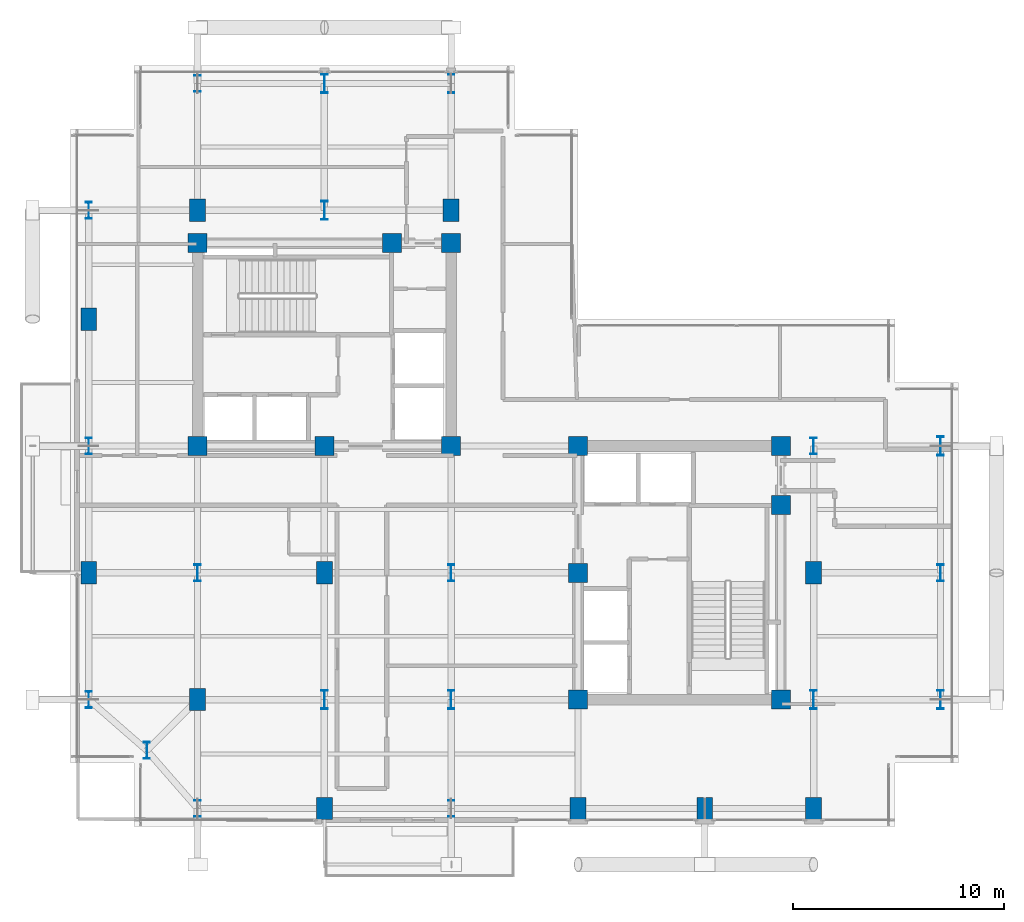
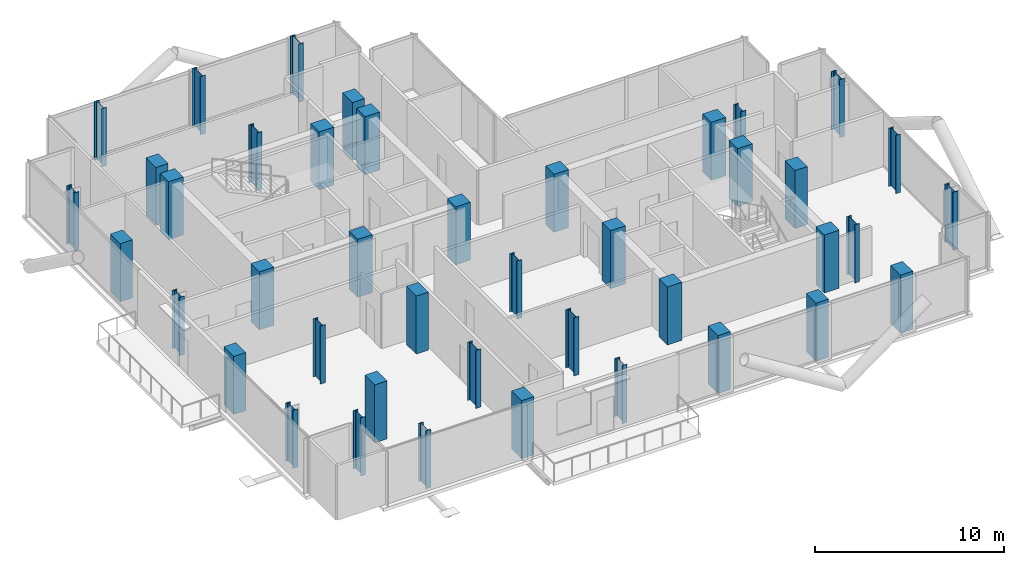
# One storey, part 1 of 21: 42 columns.
"""IFC4 building model written with IfcOpenShell, lengths in metres."""

from ifc_helpers import new_model, si_unit, direction, frame, origin, origin_2d, place, context, subcontext, project, spatial, rectangle, i_section, extrude, material, material_profile, profile_set, type_object, element, save


model = new_model("IFC4")

# Units and contexts
model_context = context("Model", 3, precision=1e-05, world=origin(), true_north=direction((0.0, 1.0)))
body_context = subcontext(model_context, "Body", "Model", "MODEL_VIEW")
ifc_project = project(units=[si_unit("LENGTHUNIT", "METRE"), si_unit("AREAUNIT", "SQUARE_METRE"), si_unit("VOLUMEUNIT", "CUBIC_METRE"), si_unit("PLANEANGLEUNIT", "RADIAN"), si_unit("MASSUNIT", "GRAM", prefix="KILO"), si_unit("THERMODYNAMICTEMPERATUREUNIT", "KELVIN"), si_unit("POWERUNIT", "WATT")], contexts=[model_context])

# Site, building, storey
site_placement = place(None, origin())
site = spatial("IfcSite", under=ifc_project, at=site_placement, CompositionType="ELEMENT")
building_placement = place(site_placement, origin())
building = spatial("IfcBuilding", under=site, at=building_placement, Name="Svarakhadi Broadcast Tower", CompositionType="ELEMENT")
storey_placement = place(building_placement, frame((0.0, 0.0, 219.89990234375)))
storey = spatial("IfcBuildingStorey", under=building, at=storey_placement, Name="L54", CompositionType="ELEMENT", Elevation=219.89990234375)

# Columns
ifc_material_1 = material(Name="Concrete C50/60 (IS 456 M60)", Category="concrete")
ifc_material_profile_1 = material_profile(ifc_material_1, rectangle(XDim=0.75, YDim=1.050048828125, at=origin_2d()), Name="RC 750x1050")
ifc_profile_set_1 = profile_set([ifc_material_profile_1], Name="Concrete C50/60 (IS 456 M60)")
column_type_1 = type_object("IfcColumnType", Name="Col_RC750", PredefinedType="COLUMN", material=ifc_profile_set_1)
for number, where, z_axis, x_axis, name in (
    (1, (0.85009765625, 12.0, 0.0), (0.0, 0.0, 1.0), (1.0, 0.0, 0.0), "L54 Column G04"),
    (2, (0.85009765625, 24.0, 0.0), (0.0, 0.0, 1.0), (1.0, 0.0, 0.0), "L54 Column G06"),
    (3, (6.0, 6.0, 0.0), (0.0, 0.0, 1.0), (1.0, 0.0, 0.0), "L54 Column G12"),
    (4, (6.0, 29.14990234375, 0.0), (0.0, 0.0, 1.0), (1.0, 0.0, 0.0), "L54 Column G14"),
    (5, (12.0, 0.85009765625, 0.0), (0.0, 0.0, 1.0), (1.0, 0.0, 0.0), "L54 Column G18"),
    (6, (12.0, 12.0, 0.0), (0.0, 0.0, 1.0), (1.0, 0.0, 0.0), "L54 Column G20"),
    (7, (18.0, 29.14990234375, 0.0), (0.0, 0.0, 1.0), (1.0, 0.0, 0.0), "L54 Column G28"),
    (8, (24.0, 0.85009765625, 0.0), (0.0, 0.0, 1.0), (1.0, 0.0, 0.0), "L54 Column G32"),
    (9, (30.0, 0.85009765625, 0.0), (0.0, 0.0, 1.0), (1.0, 0.0, 0.0), "L54 Column G36"),
    (10, (35.14990234375, 0.85009765625, 0.0), (0.0, 0.0, 1.0), (1.0, 0.0, 0.0), "L54 Column G38"),
    (11, (35.14990234375, 12.0, 0.0), (0.0, 0.0, 1.0), (1.0, 0.0, 0.0), "L54 Column G40"),
):
    element("IfcColumn", number, at=place(storey_placement, frame(where, z_axis=z_axis, x_axis=x_axis)), inside=storey, type_object=column_type_1, Name=name, PredefinedType="COLUMN", context=body_context, shape_type="SweptSolid", body=[
        extrude(rectangle(XDim=0.75, YDim=1.050048828125, at=origin_2d()), origin(), (0.0, 0.0, 1.0), 3.75),
    ])
ifc_material_profile_2 = material_profile(ifc_material_1, rectangle(XDim=0.89990234375, YDim=0.89990234375, at=origin_2d()), Name="RC 900x900")
ifc_profile_set_2 = profile_set([ifc_material_profile_2], Name="Concrete C50/60 (IS 456 M60)")
column_type_2 = type_object("IfcColumnType", Name="Col_RC900", PredefinedType="COLUMN", material=ifc_profile_set_2)
for number, where, z_axis, x_axis, name in (
    (12, (6.0, 18.0, 0.0), (0.0, 0.0, 1.0), (1.0, 0.0, 0.0), "L54 Column CW1"),
    (13, (12.0, 18.0, 0.0), (0.0, 0.0, 1.0), (1.0, 0.0, 0.0), "L54 Column CW2"),
    (14, (18.0, 18.0, 0.0), (0.0, 0.0, 1.0), (1.0, 0.0, 0.0), "L54 Column CW3"),
    (15, (6.0, 27.60009765625, 0.0), (0.0, 0.0, 1.0), (1.0, 0.0, 0.0), "L54 Column CW4"),
    (16, (15.199951171875, 27.60009765625, 0.0), (0.0, 0.0, 1.0), (1.0, 0.0, 0.0), "L54 Column CW5"),
    (17, (18.0, 27.60009765625, 0.0), (0.0, 0.0, 1.0), (1.0, 0.0, 0.0), "L54 Column CW6"),
    (18, (24.0, 6.0, 0.0), (0.0, 0.0, 1.0), (1.0, 0.0, 0.0), "L54 Column CE1"),
    (19, (24.0, 12.0, 0.0), (0.0, 0.0, 1.0), (1.0, 0.0, 0.0), "L54 Column CE2"),
    (20, (24.0, 18.0, 0.0), (0.0, 0.0, 1.0), (1.0, 0.0, 0.0), "L54 Column CE3"),
    (21, (33.60009765625, 6.0, 0.0), (0.0, 0.0, 1.0), (1.0, 0.0, 0.0), "L54 Column CE4"),
    (22, (33.60009765625, 15.199951171875, 0.0), (0.0, 0.0, 1.0), (1.0, 0.0, 0.0), "L54 Column CE5"),
    (23, (33.60009765625, 18.0, 0.0), (0.0, 0.0, 1.0), (1.0, 0.0, 0.0), "L54 Column CE6"),
):
    element("IfcColumn", number, at=place(storey_placement, frame(where, z_axis=z_axis, x_axis=x_axis)), inside=storey, type_object=column_type_2, Name=name, PredefinedType="COLUMN", context=body_context, shape_type="SweptSolid", body=[
        extrude(rectangle(XDim=0.89990234375, YDim=0.89990234375, at=origin_2d()), origin(), (0.0, 0.0, 1.0), 3.75),
    ])
ifc_material_2 = material(Name="Steel S460ML (IS 2062 E450BR)", Category="steel")
ifc_material_profile_3 = material_profile(ifc_material_2, i_section(OverallWidth=0.300048828125, OverallDepth=0.800048828125, WebThickness=0.017578125, FlangeThickness=0.032958984375, FilletRadius=0.030029296875, at=origin_2d()), Name="WPB 800x300x262")
ifc_profile_set_3 = profile_set([ifc_material_profile_3], Name="Steel S460ML (IS 2062 E450BR)")
column_type_3 = type_object("IfcColumnType", Name="Col_WPB800", PredefinedType="COLUMN", material=ifc_profile_set_3)
for number, where, z_axis, x_axis, name in (
    (24, (3.60009765625, 3.60009765625, 0.0), (0.0, 0.0, 1.0), (1.0, 0.0, 0.0), "L54 Column G01"),
    (25, (0.85009765625, 6.0, 0.0), (0.0, 0.0, 1.0), (1.0, 0.0, 0.0), "L54 Column G03"),
    (26, (0.85009765625, 18.0, 0.0), (0.0, 0.0, 1.0), (1.0, 0.0, 0.0), "L54 Column G05"),
    (27, (0.85009765625, 29.14990234375, 0.0), (0.0, 0.0, 1.0), (1.0, 0.0, 0.0), "L54 Column G07"),
    (28, (6.0, 0.85009765625, 0.0), (0.0, 0.0, 1.0), (1.0, 0.0, 0.0), "L54 Column G11"),
    (29, (6.0, 12.0, 0.0), (0.0, 0.0, 1.0), (1.0, 0.0, 0.0), "L54 Column G13"),
    (30, (6.0, 35.14990234375, 0.0), (0.0, 0.0, 1.0), (1.0, 0.0, 0.0), "L54 Column G15"),
    (31, (18.0, 0.85009765625, 0.0), (0.0, 0.0, 1.0), (1.0, 0.0, 0.0), "L54 Column G25"),
    (32, (18.0, 12.0, 0.0), (0.0, 0.0, 1.0), (1.0, 0.0, 0.0), "L54 Column G27"),
    (33, (35.14990234375, 18.0, 0.0), (0.0, 0.0, 1.0), (1.0, 0.0, 0.0), "L54 Column G41"),
    (34, (41.14990234375, 12.0, 0.0), (0.0, 0.0, 1.0), (1.0, 0.0, 0.0), "L54 Column G45"),
):
    element("IfcColumn", number, at=place(storey_placement, frame(where, z_axis=z_axis, x_axis=x_axis)), inside=storey, type_object=column_type_3, Name=name, PredefinedType="COLUMN", context=body_context, shape_type="SweptSolid", body=[
        extrude(i_section(OverallWidth=0.300048828125, OverallDepth=0.800048828125, WebThickness=0.017578125, FlangeThickness=0.032958984375, FilletRadius=0.030029296875, at=origin_2d()), origin(), (0.0, 0.0, 1.0), 3.75),
    ])
ifc_material_profile_4 = material_profile(ifc_material_2, i_section(OverallWidth=0.300048828125, OverallDepth=0.89990234375, WebThickness=0.0185546875, FlangeThickness=0.034912109375, FilletRadius=0.030029296875, at=origin_2d()), Name="WPB 900x300x291")
ifc_profile_set_4 = profile_set([ifc_material_profile_4], Name="Steel S460ML (IS 2062 E450BR)")
column_type_4 = type_object("IfcColumnType", Name="Col_WPB900", PredefinedType="COLUMN", material=ifc_profile_set_4)
for number, where, z_axis, x_axis, name in (
    (35, (12.0, 6.0, 0.0), (0.0, 0.0, 1.0), (1.0, 0.0, 0.0), "L54 Column G19"),
    (36, (12.0, 29.14990234375, 0.0), (0.0, 0.0, 1.0), (1.0, 0.0, 0.0), "L54 Column G21"),
    (37, (12.0, 35.14990234375, 0.0), (0.0, 0.0, 1.0), (1.0, 0.0, 0.0), "L54 Column G22"),
    (38, (18.0, 6.0, 0.0), (0.0, 0.0, 1.0), (1.0, 0.0, 0.0), "L54 Column G26"),
    (39, (18.0, 35.14990234375, 0.0), (0.0, 0.0, 1.0), (1.0, 0.0, 0.0), "L54 Column G29"),
    (40, (35.14990234375, 6.0, 0.0), (0.0, 0.0, 1.0), (1.0, 0.0, 0.0), "L54 Column G39"),
    (41, (41.14990234375, 6.0, 0.0), (0.0, 0.0, 1.0), (1.0, 0.0, 0.0), "L54 Column G44"),
    (42, (41.14990234375, 18.0, 0.0), (0.0, 0.0, 1.0), (1.0, 0.0, 0.0), "L54 Column G46"),
):
    element("IfcColumn", number, at=place(storey_placement, frame(where, z_axis=z_axis, x_axis=x_axis)), inside=storey, type_object=column_type_4, Name=name, PredefinedType="COLUMN", context=body_context, shape_type="SweptSolid", body=[
        extrude(i_section(OverallWidth=0.300048828125, OverallDepth=0.89990234375, WebThickness=0.0185546875, FlangeThickness=0.034912109375, FilletRadius=0.030029296875, at=origin_2d()), origin(), (0.0, 0.0, 1.0), 3.75),
    ])

save(model, "model.ifc")
